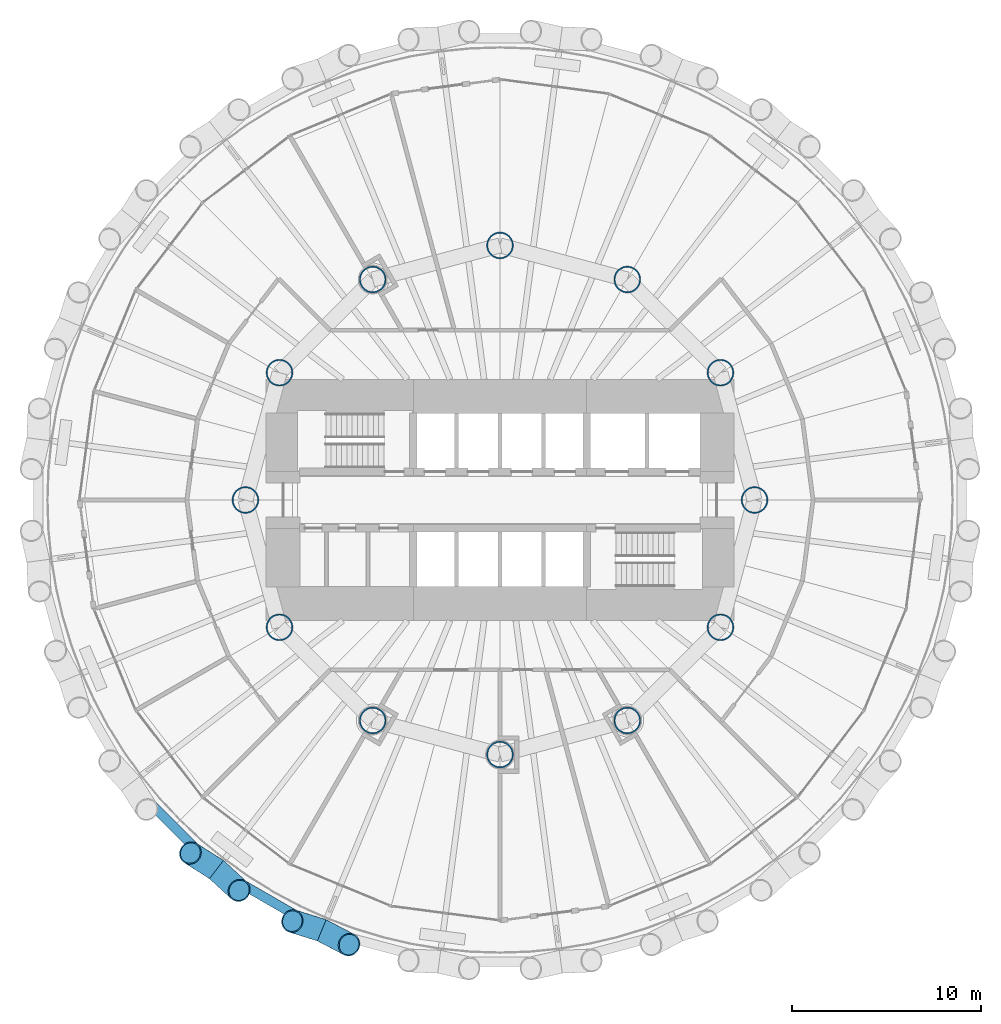
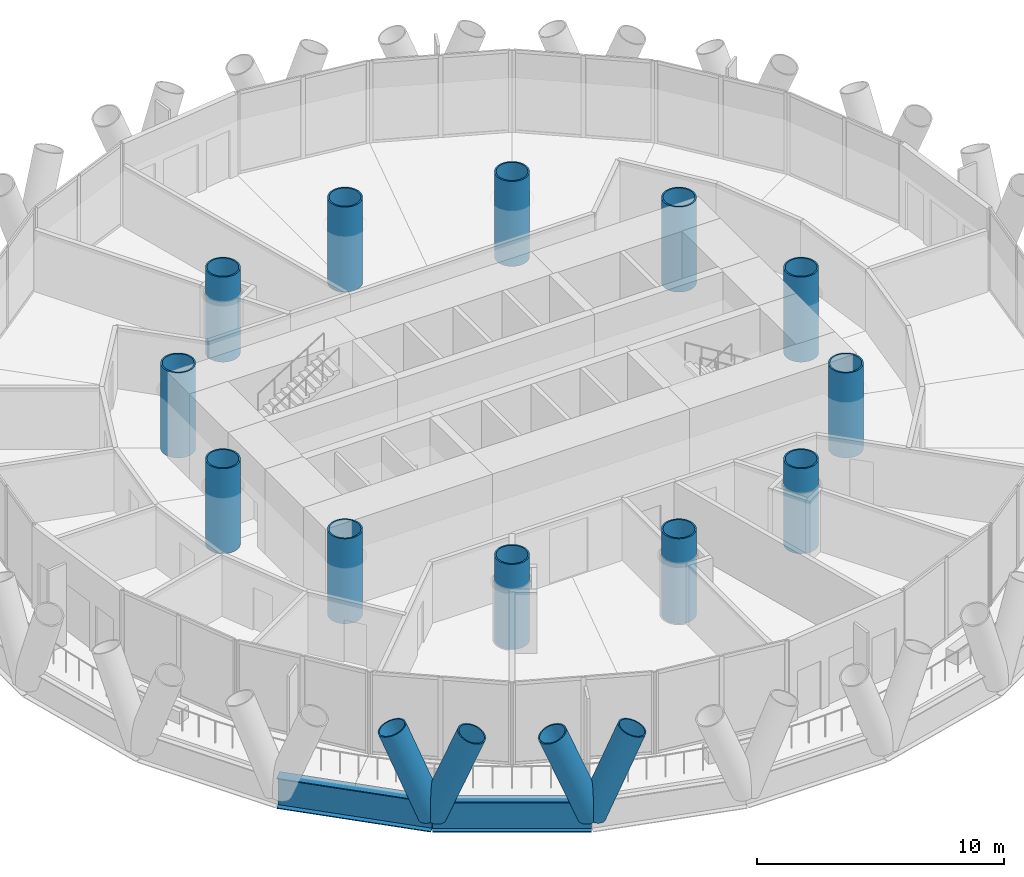
# One storey, part 1 of 15: 12 columns, 4 members, 2 beams.
"""IFC4 building model written with IfcOpenShell, lengths in metres."""

from ifc_helpers import new_model, si_unit, direction, frame, origin, origin_2d, place, context, subcontext, project, spatial, hollow_circle, i_section, extrude, material, material_profile, profile_set, type_object, element, save


model = new_model("IFC4")

# Units and contexts
model_context = context("Model", 3, precision=1e-05, world=origin(), true_north=direction((0.0, 1.0)))
body_context = subcontext(model_context, "Body", "Model", "MODEL_VIEW")
ifc_project = project(units=[si_unit("LENGTHUNIT", "METRE"), si_unit("AREAUNIT", "SQUARE_METRE"), si_unit("VOLUMEUNIT", "CUBIC_METRE"), si_unit("PLANEANGLEUNIT", "RADIAN"), si_unit("MASSUNIT", "GRAM", prefix="KILO")], contexts=[model_context])

# Site, building, storey
site_placement = place(None, origin())
site = spatial("IfcSite", under=ifc_project, at=site_placement, CompositionType="ELEMENT")
building_placement = place(site_placement, origin())
building = spatial("IfcBuilding", under=site, at=building_placement, Name="Qaws Media Tower", CompositionType="ELEMENT")
storey_placement = place(building_placement, frame((0.0, 0.0, 51.199951171875)))
storey = spatial("IfcBuildingStorey", under=building, at=storey_placement, Name="L10", CompositionType="ELEMENT", Elevation=51.199951171875)

# Columns
ifc_material_1 = material(Name="Steel S460", Category="steel")
ifc_material_profile_1 = material_profile(ifc_material_1, hollow_circle(Radius=0.7109375, WallThickness=0.070068359375, at=origin_2d()), Name="CHS 1422x70")
ifc_profile_set_1 = profile_set([ifc_material_profile_1], Name="Steel S460")
column_type = type_object("IfcColumnType", Name="Inner column CHS 1422x70", PredefinedType="COLUMN", material=ifc_profile_set_1)
for number, where, z_axis, x_axis, name in (
    (1, (73.5, 50.0, 0.0), (0.0, 0.0, 1.0), (1.0, 0.0, 0.0), "C5 inner column I01 L10"),
    (2, (71.69140625, 56.75, 0.0), (0.0, 0.0, 1.0), (1.0, 0.0, 0.0), "C5 inner column I02 L10"),
    (3, (66.75, 61.69140625, 0.0), (0.0, 0.0, 1.0), (1.0, 0.0, 0.0), "C5 inner column I03 L10"),
    (4, (60.0, 63.5, 0.0), (0.0, 0.0, 1.0), (1.0, 0.0, 0.0), "C5 inner column I04 L10"),
    (5, (53.25, 61.69140625, 0.0), (0.0, 0.0, 1.0), (1.0, 0.0, 0.0), "C5 inner column I05 L10"),
    (6, (48.30859375, 56.75, 0.0), (0.0, 0.0, 1.0), (1.0, 0.0, 0.0), "C5 inner column I06 L10"),
    (7, (46.5, 50.0, 0.0), (0.0, 0.0, 1.0), (1.0, 0.0, 0.0), "C5 inner column I07 L10"),
    (8, (48.30859375, 43.25, 0.0), (0.0, 0.0, 1.0), (1.0, 0.0, 0.0), "C5 inner column I08 L10"),
    (9, (53.25, 38.30859375, 0.0), (0.0, 0.0, 1.0), (1.0, 0.0, 0.0), "C5 inner column I09 L10"),
    (10, (60.0, 36.5, 0.0), (0.0, 0.0, 1.0), (1.0, 0.0, 0.0), "C5 inner column I10 L10"),
    (11, (66.75, 38.30859375, 0.0), (0.0, 0.0, 1.0), (1.0, 0.0, 0.0), "C5 inner column I11 L10"),
    (12, (71.69140625, 43.25, 0.0), (0.0, 0.0, 1.0), (1.0, 0.0, 0.0), "C5 inner column I12 L10"),
):
    element("IfcColumn", number, at=place(storey_placement, frame(where, z_axis=z_axis, x_axis=x_axis)), inside=storey, type_object=column_type, Name=name, PredefinedType="COLUMN", context=body_context, shape_type="SweptSolid", body=[
        extrude(hollow_circle(Radius=0.7109375, WallThickness=0.070068359375, at=origin_2d()), origin(), (0.0, 0.0, 1.0), 4.199951171875),
    ])

# Members
ifc_material_2 = material(Name="Steel S460", Category="steel")
ifc_material_profile_2 = material_profile(ifc_material_2, hollow_circle(Radius=0.609619140625, WallThickness=0.06005859375, at=origin_2d()), Name="CHS 1219x60")
ifc_profile_set_2 = profile_set([ifc_material_profile_2], Name="Steel S460")
member_type = type_object("IfcMemberType", Name="Diagrid member CHS 1219x60", PredefinedType="USERDEFINED", material=ifc_profile_set_2)
for number, where, z_axis, x_axis, name in (
    (13, (44.963623046875, 30.404052734375, -0.909912109375), (0.266838837699, -0.24576691162, 0.931877491867), (0.677467250877, 0.735552937584, 0.0), "DG1 diagrid L10 A16"),
    (14, (44.963623046875, 30.404052734375, -0.909912109375), (-0.306483994421, 0.19419319901, 0.931856513967), (-0.535222557834, -0.844711082907, 0.0), "DG1 diagrid L10 B16"),
    (15, (50.547607421875, 27.18017578125, -0.909912109375), (0.321382639402, -0.168356184605, 0.931863398893), (0.464034889199, 0.885816923301, 0.0), "DG1 diagrid L10 A17"),
    (16, (50.547607421875, 27.18017578125, -0.909912109375), (-0.346251379112, 0.108230640717, 0.931877733865), (-0.298343010406, -0.954458719978, 0.0), "DG1 diagrid L10 B17"),
):
    element("IfcMember", number, at=place(storey_placement, frame(where, z_axis=z_axis, x_axis=x_axis)), inside=storey, type_object=member_type, Name=name, ObjectType="DIAGRID", PredefinedType="USERDEFINED", context=body_context, shape_type="SweptSolid", body=[
        extrude(hollow_circle(Radius=0.609619140625, WallThickness=0.06005859375, at=origin_2d()), origin(), (0.0, 0.0, 1.0), 4.507080078125),
    ])

# Beams
ifc_material_3 = material(Name="Steel S460", Category="steel")
ifc_material_profile_3 = material_profile(ifc_material_3, i_section(OverallWidth=0.5, OverallDepth=1.5, WebThickness=0.02001953125, FlangeThickness=0.0400390625, at=origin_2d()), Name="PG 1500x500")
ifc_profile_set_3 = profile_set([ifc_material_profile_3], Name="Steel S460")
beam_type = type_object("IfcBeamType", Name="Edge ring beam PG 1500x500", PredefinedType="BEAM", material=ifc_profile_set_3)
beam_1_placement = place(storey_placement, frame((40.404052734375, 34.963623046875, -0.909912109375), z_axis=(0.707106781187, -0.707106781187, 0.0), x_axis=(0.707106781187, 0.707106781187, 0.0)))
element("IfcBeam", 17, at=beam_1_placement, inside=storey, type_object=beam_type, Name="RB4 edge ring beam L10-15", PredefinedType="BEAM", context=body_context, shape_type="SweptSolid", body=[
    extrude(i_section(OverallWidth=0.5, OverallDepth=1.5, WebThickness=0.02001953125, FlangeThickness=0.0400390625, at=origin_2d()), origin(), (0.0, 0.0, 1.0), 6.4482421875),
])
beam_2_placement = place(storey_placement, frame((44.963623046875, 30.404052734375, -0.909912109375), z_axis=(0.866027950949, -0.499995588155, 0.0), x_axis=(0.499995588155, 0.866027950949, 0.0)))
element("IfcBeam", 18, at=beam_2_placement, inside=storey, type_object=beam_type, Name="RB4 edge ring beam L10-16", PredefinedType="BEAM", context=body_context, shape_type="SweptSolid", body=[
    extrude(i_section(OverallWidth=0.5, OverallDepth=1.5, WebThickness=0.02001953125, FlangeThickness=0.0400390625, at=origin_2d()), origin(), (0.0, 0.0, 1.0), 6.44775390625),
])

save(model, "model.ifc")
